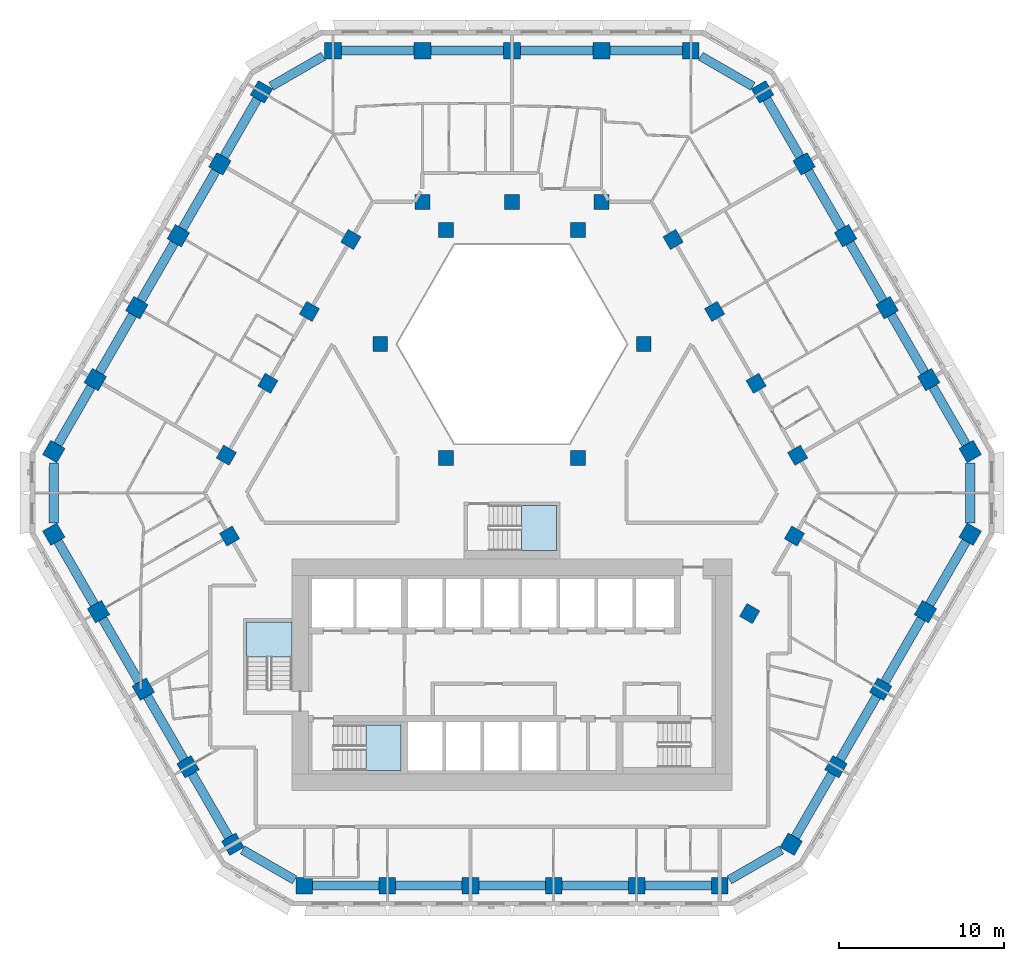
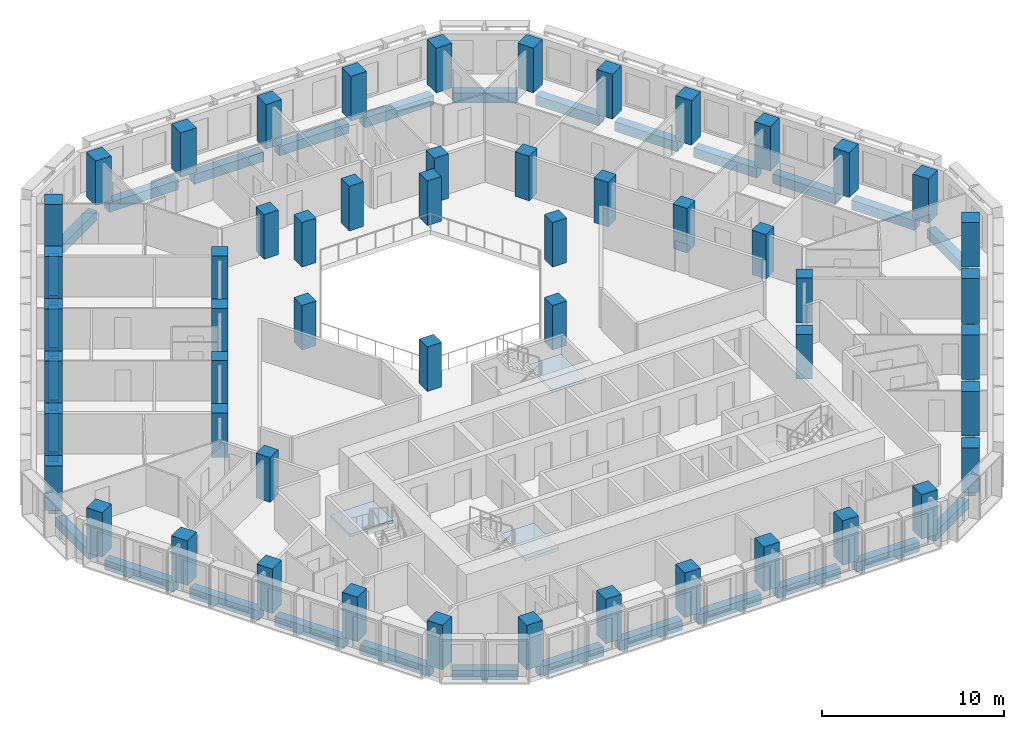
# One storey, part 1 of 18: 53 columns, 33 beams, 3 slabs, 3 elements without a shape of their own.
"""IFC4 building model written with IfcOpenShell, lengths in metres."""

import ifcopenshell
import ifcopenshell.guid

model = None  # the IFC model being written
_history = None  # IfcOwnerHistory: only IFC2X3 demands one
_inside = {}  # id of a spatial element -> (the spatial element, [elements in it])
_under = {}  # id of a project, library or spatial element -> (it, [spatial elements below it])
_declared = {}  # id of a project -> (the project, [libraries it declares])
_typed = {}  # id of a type object -> (the type object, [elements of that type])
_made_of = {}  # id of a material, layer set ... -> (it, [elements and type objects made of it])


def new_model(schema):
    """Start an empty IFC model of exactly this schema.

    Asked for "IFC4X3", IfcOpenShell would pick the latest addendum, in which some entities
    have other attributes; the version numbers below select the first issue.
    IFC2X3 requires an IfcOwnerHistory on every rooted entity: one is made here for all.
    """
    global model, _history
    if schema == "IFC4X3":
        model = ifcopenshell.file(schema_version=(4, 3, 0, 0))
    else:
        model = ifcopenshell.file(schema=schema)
    _inside.clear()
    _under.clear()
    _declared.clear()
    _typed.clear()
    _made_of.clear()
    _history = None
    if model.schema == "IFC2X3":
        org = make("IfcOrganization", Name="unknown")
        user = make(
            "IfcPersonAndOrganization",
            ThePerson=make("IfcPerson", FamilyName="unknown"),
            TheOrganization=org,
        )
        app = make(
            "IfcApplication",
            ApplicationDeveloper=org,
            Version="unknown",
            ApplicationFullName="unknown",
            ApplicationIdentifier="unknown",
        )
        _history = make(
            "IfcOwnerHistory",
            OwningUser=user,
            OwningApplication=app,
            ChangeAction="ADDED",
            CreationDate=0,
        )
    return model


def make(cls, **values):
    """One entity of the class cls with the attributes given. An attribute that is None is left unset."""
    return model.create_entity(
        cls, **{name: value for name, value in values.items() if value is not None}
    )


def rooted(cls, **values):
    """An entity with a GlobalId (a new one), such as an element, a storey or a relation."""
    return make(cls, GlobalId=ifcopenshell.guid.new(), OwnerHistory=_history, **values)


def si_unit(unit_type, name, prefix=None):
    """IfcSIUnit, for example si_unit("LENGTHUNIT", "METRE", prefix="MILLI")."""
    return make("IfcSIUnit", UnitType=unit_type, Prefix=prefix, Name=name)


def assignment(units):
    """IfcUnitAssignment: the units of a project."""
    return None if units is None else make("IfcUnitAssignment", Units=units)


def point(xyz):
    """IfcCartesianPoint."""
    return None if xyz is None else make("IfcCartesianPoint", Coordinates=xyz)


def direction(xyz):
    """IfcDirection."""
    return None if xyz is None else make("IfcDirection", DirectionRatios=xyz)


def frame(location, z_axis=None, x_axis=None):
    """IfcAxis2Placement3D, a coordinate frame: its origin and axes. An axis left out is left unset."""
    return make(
        "IfcAxis2Placement3D",
        Location=point(location),
        Axis=direction(z_axis),
        RefDirection=direction(x_axis),
    )


def frame_2d(location, x_axis=None):
    """IfcAxis2Placement2D, a coordinate frame in the plane: its origin and x axis."""
    return make(
        "IfcAxis2Placement2D", Location=point(location), RefDirection=direction(x_axis)
    )


def origin():
    """The frame at (0, 0, 0) with its axes left unset."""
    return frame((0.0, 0.0, 0.0))


def origin_2d():
    """The frame at (0, 0) in the plane with its x axis left unset."""
    return frame_2d((0.0, 0.0))


def place(relative_to, where):
    """IfcLocalPlacement: puts the frame where relative to a parent placement (None: the world)."""
    return make(
        "IfcLocalPlacement", PlacementRelTo=relative_to, RelativePlacement=where
    )


def context(
    kind, dimensions, precision=None, world=None, true_north=None, identifier=None
):
    """IfcGeometricRepresentationContext, for example the 3D "Model" context."""
    return make(
        "IfcGeometricRepresentationContext",
        ContextIdentifier=identifier,
        ContextType=kind,
        CoordinateSpaceDimension=dimensions,
        Precision=precision,
        WorldCoordinateSystem=world,
        TrueNorth=true_north,
    )


def subcontext(parent, identifier, kind, view, scale=None):
    """IfcGeometricRepresentationSubContext, for example "Body" below "Model"."""
    return make(
        "IfcGeometricRepresentationSubContext",
        ContextIdentifier=identifier,
        ContextType=kind,
        ParentContext=parent,
        TargetScale=scale,
        TargetView=view,
    )


def project(units=None, contexts=None):
    """IfcProject with its units and contexts."""
    return rooted(
        "IfcProject",
        Name="project",
        RepresentationContexts=contexts,
        UnitsInContext=assignment(units),
    )


def spatial(cls, under=None, at=None, **own):
    """A site, building, storey or space (cls), placed at a placement, below another one or the project."""
    s = rooted(cls, ObjectPlacement=at, **own)
    if under is not None:
        _under.setdefault(under.id(), (under, []))[1].append(s)
    return s


def polyline(points):
    """IfcPolyline through the points."""
    return make("IfcPolyline", Points=[point(p) for p in points])


def profile(cls, at=None, kind="AREA", **sizes):
    """A parametric profile (cls). Its sizes go by their IFC names, for example OverallWidth=200.0."""
    return make(cls, ProfileType=kind, Position=at, **sizes)


def rectangle(**sizes):
    """IfcRectangleProfileDef."""
    return profile("IfcRectangleProfileDef", **sizes)


def outline(outer, holes=None, kind="AREA"):
    """IfcArbitraryClosedProfileDef: a profile drawn as a closed curve; with holes, ...WithVoids."""
    if holes is None:
        return make("IfcArbitraryClosedProfileDef", ProfileType=kind, OuterCurve=outer)
    return make(
        "IfcArbitraryProfileDefWithVoids",
        ProfileType=kind,
        OuterCurve=outer,
        InnerCurves=holes,
    )


def extrude(swept, where, along, depth):
    """IfcExtrudedAreaSolid: the profile swept, set in the frame where, extruded along a direction by depth."""
    return make(
        "IfcExtrudedAreaSolid",
        SweptArea=swept,
        Position=where,
        ExtrudedDirection=direction(along),
        Depth=depth,
    )


def shape(context_of_items, identifier, shape_type, items):
    """IfcShapeRepresentation: the items that make up one representation, for example the "Body"."""
    return make(
        "IfcShapeRepresentation",
        ContextOfItems=context_of_items,
        RepresentationIdentifier=identifier,
        RepresentationType=shape_type,
        Items=items,
    )


def material(Name=None, Category=None):
    """IfcMaterial."""
    return make("IfcMaterial", Name=Name, Category=Category)


def layer(
    of_material, thickness, ventilated=None, Name=None, Category=None, Priority=None
):
    """IfcMaterialLayer: one layer of a wall or slab, of a material (None: an air gap)."""
    return make(
        "IfcMaterialLayer",
        Material=of_material,
        LayerThickness=thickness,
        IsVentilated=ventilated,
        Name=Name,
        Category=Category,
        Priority=Priority,
    )


def layer_set(layers, Name=None):
    """IfcMaterialLayerSet."""
    return make("IfcMaterialLayerSet", MaterialLayers=layers, LayerSetName=Name)


def material_profile(
    of_material, cross_section, Name=None, Category=None, Priority=None
):
    """IfcMaterialProfile: a cross section and its material."""
    return make(
        "IfcMaterialProfile",
        Name=Name,
        Material=of_material,
        Profile=cross_section,
        Priority=Priority,
        Category=Category,
    )


def profile_set(profiles, Name=None, composite=None):
    """IfcMaterialProfileSet."""
    return make(
        "IfcMaterialProfileSet",
        Name=Name,
        MaterialProfiles=profiles,
        CompositeProfile=composite,
    )


def made_of(thing, what):
    """Note that an element or type object is made of a material, layer set ...; save() writes the relation."""
    if what is not None:
        _made_of.setdefault(what.id(), (what, []))[1].append(thing)
    return thing


def type_object(cls, material=None, **own):
    """A type object (cls), such as IfcWallType, which elements share."""
    return made_of(rooted(cls, **own), material)


def element(
    cls,
    number,
    at=None,
    inside=None,
    cuts=None,
    type_object=None,
    material=None,
    context=None,
    identifier="Body",
    shape_type=None,
    held_by="IfcProductDefinitionShape",
    body=None,
    shapes=None,
    **own,
):
    """One element of the class cls, such as IfcWall. Its Tag is "e" and its number.

    at: its placement. inside: the storey or other place that contains it. cuts: it is an
    opening in that element (IfcRelVoidsElement). A single representation is given by context,
    identifier, shape_type and body (its items); several are given by shapes. held_by: the class
    of the entity that holds the representations. save() writes the other relations.
    """
    e = rooted(cls, Tag="e%d" % number, ObjectPlacement=at, **own)
    if body is not None:
        shapes = [shape(context, identifier, shape_type, body)]
    if shapes is not None:
        e.Representation = make(held_by, Representations=shapes)
    if inside is not None:
        _inside.setdefault(inside.id(), (inside, []))[1].append(e)
    if cuts is not None:
        rooted(
            "IfcRelVoidsElement", RelatingBuildingElement=cuts, RelatedOpeningElement=e
        )
    if type_object is not None:
        _typed.setdefault(type_object.id(), (type_object, []))[1].append(e)
    return made_of(e, material)


def aggregate(whole, parts):
    """IfcRelAggregates: a whole, such as a stair, and the parts it consists of."""
    return rooted("IfcRelAggregates", RelatingObject=whole, RelatedObjects=parts)


def save(model, path):
    """Write the relations noted so far, then the file.

    IfcRelAggregates (storeys below a building ...), IfcRelContainedInSpatialStructure (elements
    in a storey), IfcRelDefinesByType, IfcRelAssociatesMaterial and IfcRelDeclares: one each for
    every whole, place, type object, material and project.
    """
    for whole, parts in _under.values():
        aggregate(whole, parts)
    for where, things in _inside.values():
        rooted(
            "IfcRelContainedInSpatialStructure",
            RelatedElements=things,
            RelatingStructure=where,
        )
    for kind, things in _typed.values():
        rooted("IfcRelDefinesByType", RelatedObjects=things, RelatingType=kind)
    for what, things in _made_of.values():
        rooted("IfcRelAssociatesMaterial", RelatedObjects=things, RelatingMaterial=what)
    for by, libraries in _declared.values():
        rooted("IfcRelDeclares", RelatingContext=by, RelatedDefinitions=libraries)
    model.write(path)


model = new_model("IFC4")

# Units and contexts
model_context = context("Model", 3, precision=1e-05, world=origin(), true_north=direction((0.0, 1.0)))
body_context = subcontext(model_context, "Body", "Model", "MODEL_VIEW")
ifc_project = project(units=[si_unit("LENGTHUNIT", "METRE"), si_unit("AREAUNIT", "SQUARE_METRE"), si_unit("VOLUMEUNIT", "CUBIC_METRE"), si_unit("PLANEANGLEUNIT", "RADIAN"), si_unit("MASSUNIT", "GRAM", prefix="KILO")], contexts=[model_context])

# Site, building, storey
site_placement = place(None, origin())
site = spatial("IfcSite", under=ifc_project, at=site_placement, CompositionType="ELEMENT")
building_placement = place(site_placement, origin())
building = spatial("IfcBuilding", under=site, at=building_placement, Name="Beryl Residences", CompositionType="ELEMENT")
storey_placement = place(building_placement, frame((0.0, 0.0, 81.0)))
storey = spatial("IfcBuildingStorey", under=building, at=storey_placement, Name="L24", CompositionType="ELEMENT", Elevation=81.0)

# Columns
ifc_material_1 = material(Name="Concrete C70/85", Category="concrete")
ifc_material_profile_1 = material_profile(ifc_material_1, rectangle(XDim=1.0, YDim=1.0, at=origin_2d()))
ifc_profile_set_1 = profile_set([ifc_material_profile_1], Name="Concrete C70/85")
column_type_1 = type_object("IfcColumnType", Name="C2 tube column 1000 x 1000 C70/85", PredefinedType="COLUMN", material=ifc_profile_set_1)
for number, where, z_axis, x_axis, name in (
    (1, (10.824951171875, 25.75, 0.0), (0.0, 0.0, 1.0), (-1.0, 0.0, 0.0), "C2-N1 L24"),
    (2, (5.412109375, 25.75, 0.0), (0.0, 0.0, 1.0), (-1.0, 0.0, 0.0), "C2-N2 L24"),
    (3, (-0.0009765625, 25.75, 0.0), (0.0, 0.0, 1.0), (-1.0, 0.0, 0.0), "C2-N3 L24"),
    (4, (-5.4140625, 25.75, 0.0), (0.0, 0.0, 1.0), (-1.0, 0.0, 0.0), "C2-N4 L24"),
    (5, (-10.826904296875, 25.75, 0.0), (0.0, 0.0, 1.0), (-1.0, 0.0, 0.0), "C2-N5 L24"),
    (6, (-15.155029296875, 23.2509765625, 0.0), (0.0, 0.0, 1.0), (-0.5, -0.866025403784, 0.0), "C2-NW1 L24"),
    (7, (-17.6669921875, 18.89990234375, 0.0), (0.0, 0.0, 1.0), (-0.5, -0.866025403784, 0.0), "C2-NW2 L24"),
    (8, (-20.177978515625, 14.550048828125, 0.0), (0.0, 0.0, 1.0), (-0.5, -0.866025403784, 0.0), "C2-NW3 L24"),
    (9, (-22.68994140625, 10.199951171875, 0.0), (0.0, 0.0, 1.0), (-0.5, -0.866025403784, 0.0), "C2-NW4 L24"),
    (10, (-25.201904296875, 5.85009765625, 0.0), (0.0, 0.0, 1.0), (-0.5, -0.866025403784, 0.0), "C2-NW5 L24"),
    (11, (-27.712890625, 1.5, 0.0), (0.0, 0.0, 1.0), (-0.5, -0.866025403784, 0.0), "C2-NW6 L24"),
    (12, (-27.714111328125, -3.4990234375, 0.0), (0.0, 0.0, 1.0), (0.5, -0.866025403784, 0.0), "C2-SW1 L24"),
    (13, (-25.007080078125, -8.18701171875, 0.0), (0.0, 0.0, 1.0), (0.5, -0.866025403784, 0.0), "C2-SW2 L24"),
    (14, (-22.300048828125, -12.875, 0.0), (0.0, 0.0, 1.0), (0.5, -0.866025403784, 0.0), "C2-SW3 L24"),
    (15, (-19.593994140625, -17.56298828125, 0.0), (0.0, 0.0, 1.0), (0.5, -0.866025403784, 0.0), "C2-SW4 L24"),
    (16, (-16.886962890625, -22.2509765625, 0.0), (0.0, 0.0, 1.0), (0.5, -0.866025403784, 0.0), "C2-SW5 L24"),
    (17, (-12.556884765625, -24.75, 0.0), (0.0, 0.0, 1.0), (1.0, 0.0, 0.0), "C2-S1 L24"),
    (18, (-7.533935546875, -24.75, 0.0), (0.0, 0.0, 1.0), (1.0, 0.0, 0.0), "C2-S2 L24"),
    (19, (-2.510986328125, -24.75, 0.0), (0.0, 0.0, 1.0), (1.0, 0.0, 0.0), "C2-S3 L24"),
    (20, (2.511962890625, -24.75, 0.0), (0.0, 0.0, 1.0), (1.0, 0.0, 0.0), "C2-S4 L24"),
    (21, (7.534912109375, -24.75, 0.0), (0.0, 0.0, 1.0), (1.0, 0.0, 0.0), "C2-S5 L24"),
    (22, (12.55810546875, -24.75, 0.0), (0.0, 0.0, 1.0), (1.0, 0.0, 0.0), "C2-S6 L24"),
    (23, (16.886962890625, -22.2509765625, 0.0), (0.0, 0.0, 1.0), (0.5, 0.866025403784, 0.0), "C2-SE1 L24"),
    (24, (19.593994140625, -17.56298828125, 0.0), (0.0, 0.0, 1.0), (0.5, 0.866025403784, 0.0), "C2-SE2 L24"),
    (25, (22.300048828125, -12.875, 0.0), (0.0, 0.0, 1.0), (0.5, 0.866025403784, 0.0), "C2-SE3 L24"),
    (26, (25.007080078125, -8.18701171875, 0.0), (0.0, 0.0, 1.0), (0.5, 0.866025403784, 0.0), "C2-SE4 L24"),
    (27, (27.714111328125, -3.4990234375, 0.0), (0.0, 0.0, 1.0), (0.5, 0.866025403784, 0.0), "C2-SE5 L24"),
    (28, (27.714111328125, 1.4990234375, 0.0), (0.0, 0.0, 1.0), (-0.5, 0.866025403784, 0.0), "C2-NE1 L24"),
    (29, (25.201904296875, 5.85009765625, 0.0), (0.0, 0.0, 1.0), (-0.5, 0.866025403784, 0.0), "C2-NE2 L24"),
    (30, (22.68994140625, 10.199951171875, 0.0), (0.0, 0.0, 1.0), (-0.5, 0.866025403784, 0.0), "C2-NE3 L24"),
    (31, (20.178955078125, 14.550048828125, 0.0), (0.0, 0.0, 1.0), (-0.5, 0.866025403784, 0.0), "C2-NE4 L24"),
    (32, (17.6669921875, 18.89990234375, 0.0), (0.0, 0.0, 1.0), (-0.5, 0.866025403784, 0.0), "C2-NE5 L24"),
    (33, (15.156005859375, 23.25, 0.0), (0.0, 0.0, 1.0), (-0.5, 0.866025403784, 0.0), "C2-NE6 L24"),
):
    element("IfcColumn", number, at=place(storey_placement, frame(where, z_axis=z_axis, x_axis=x_axis)), inside=storey, type_object=column_type_1, Name=name, PredefinedType="COLUMN", context=body_context, shape_type="SweptSolid", body=[
        extrude(rectangle(XDim=1.0, YDim=1.0, at=origin_2d()), origin(), (0.0, 0.0, 1.0), 3.0),
    ])
ifc_material_2 = material(Name="Concrete C70/85", Category="concrete")
ifc_material_profile_2 = material_profile(ifc_material_2, rectangle(XDim=0.89990234375, YDim=0.89990234375, at=origin_2d()))
ifc_profile_set_2 = profile_set([ifc_material_profile_2], Name="Concrete C70/85")
column_type_2 = type_object("IfcColumnType", Name="IC2 interior column 900 x 900 C70/85", PredefinedType="COLUMN", material=ifc_profile_set_2)
for number, where, z_axis, x_axis, name in (
    (34, (-17.0830078125, -3.612060546875, 0.0), (0.0, 0.0, 1.0), (0.5, -0.866025403784, 0.0), "IC2-M01 L24"),
    (35, (14.3759765625, -8.300048828125, 0.0), (0.0, 0.0, 1.0), (0.5, 0.866025403784, 0.0), "IC2-M02 L24"),
    (36, (17.0830078125, -3.612060546875, 0.0), (0.0, 0.0, 1.0), (0.5, 0.866025403784, 0.0), "IC2-M03 L24"),
    (37, (17.278076171875, 1.27392578125, 0.0), (0.0, 0.0, 1.0), (-0.5, 0.866025403784, 0.0), "IC2-M04 L24"),
    (38, (3.98388671875, 1.10009765625, 0.0), (0.0, 0.0, 1.0), (1.0, 0.0, 0.0), "IC2-A05 L24"),
    (39, (14.76611328125, 5.625, 0.0), (0.0, 0.0, 1.0), (-0.5, 0.866025403784, 0.0), "IC2-M06 L24"),
    (40, (12.2548828125, 9.97509765625, 0.0), (0.0, 0.0, 1.0), (-0.5, 0.866025403784, 0.0), "IC2-M07 L24"),
    (41, (7.967041015625, 8.0, 0.0), (0.0, 0.0, 1.0), (1.0, 0.0, 0.0), "IC2-A08 L24"),
    (42, (9.742919921875, 14.324951171875, 0.0), (0.0, 0.0, 1.0), (-0.5, 0.866025403784, 0.0), "IC2-M09 L24"),
    (43, (5.412109375, 16.60009765625, 0.0), (0.0, 0.0, 1.0), (-1.0, 0.0, 0.0), "IC2-M10 L24"),
    (44, (3.98388671875, 14.89990234375, 0.0), (0.0, 0.0, 1.0), (1.0, 0.0, 0.0), "IC2-A11 L24"),
    (45, (-0.0009765625, 16.60009765625, 0.0), (0.0, 0.0, 1.0), (-1.0, 0.0, 0.0), "IC2-M12 L24"),
    (46, (-3.98388671875, 14.89990234375, 0.0), (0.0, 0.0, 1.0), (1.0, 0.0, 0.0), "IC2-A13 L24"),
    (47, (-5.4140625, 16.60009765625, 0.0), (0.0, 0.0, 1.0), (-1.0, 0.0, 0.0), "IC2-M14 L24"),
    (48, (-9.742919921875, 14.324951171875, 0.0), (0.0, 0.0, 1.0), (-0.5, -0.866025403784, 0.0), "IC2-M15 L24"),
    (49, (-7.967041015625, 8.0, 0.0), (0.0, 0.0, 1.0), (1.0, 0.0, 0.0), "IC2-A16 L24"),
    (50, (-12.25390625, 9.97509765625, 0.0), (0.0, 0.0, 1.0), (-0.5, -0.866025403784, 0.0), "IC2-M17 L24"),
    (51, (-14.76611328125, 5.625, 0.0), (0.0, 0.0, 1.0), (-0.5, -0.866025403784, 0.0), "IC2-M18 L24"),
    (52, (-3.98388671875, 1.10009765625, 0.0), (0.0, 0.0, 1.0), (1.0, 0.0, 0.0), "IC2-A19 L24"),
    (53, (-17.277099609375, 1.27490234375, 0.0), (0.0, 0.0, 1.0), (-0.5, -0.866025403784, 0.0), "IC2-M20 L24"),
):
    element("IfcColumn", number, at=place(storey_placement, frame(where, z_axis=z_axis, x_axis=x_axis)), inside=storey, type_object=column_type_2, Name=name, PredefinedType="COLUMN", context=body_context, shape_type="SweptSolid", body=[
        extrude(rectangle(XDim=0.89990234375, YDim=0.89990234375, at=origin_2d()), origin(), (0.0, 0.0, 1.0), 3.0),
    ])

# Beams
ifc_material_3 = material(Name="Concrete C70/85", Category="concrete")
ifc_material_profile_3 = material_profile(ifc_material_3, rectangle(XDim=0.550048828125, YDim=0.64990234375, at=origin_2d()))
ifc_profile_set_3 = profile_set([ifc_material_profile_3], Name="Concrete C70/85")
beam_type = type_object("IfcBeamType", Name="SB2 spandrel beam 550 x 650 C70/85", PredefinedType="SPANDREL", material=ifc_profile_set_3)
beam_1_placement = place(storey_placement, frame((10.324951171875, 25.75, -0.625), z_axis=(-1.0, 0.0, 0.0), x_axis=(0.0, -1.0, 0.0)))
element("IfcBeam", 54, at=beam_1_placement, inside=storey, type_object=beam_type, Name="SB2 L24 N-0", PredefinedType="SPANDREL", context=body_context, shape_type="SweptSolid", body=[
    extrude(rectangle(XDim=0.550048828125, YDim=0.64990234375, at=origin_2d()), origin(), (0.0, 0.0, 1.0), 4.412841796875),
])
for number, where, z_axis, x_axis, name in (
    (55, (4.912109375, 25.75, -0.625), (-1.0, 0.0, 0.0), (0.0, -1.0, 0.0), "SB2 L24 N-1"),
    (56, (-0.5009765625, 25.75, -0.625), (-1.0, 0.0, 0.0), (0.0, -1.0, 0.0), "SB2 L24 N-2"),
):
    element("IfcBeam", number, at=place(storey_placement, frame(where, z_axis=z_axis, x_axis=x_axis)), inside=storey, type_object=beam_type, Name=name, PredefinedType="SPANDREL", context=body_context, shape_type="SweptSolid", body=[
        extrude(rectangle(XDim=0.550048828125, YDim=0.64990234375, at=origin_2d()), origin(), (0.0, 0.0, 1.0), 4.4130859375),
    ])
beam_2_placement = place(storey_placement, frame((-5.9140625, 25.75, -0.625), z_axis=(-1.0, 0.0, 0.0), x_axis=(0.0, -1.0, 0.0)))
element("IfcBeam", 57, at=beam_2_placement, inside=storey, type_object=beam_type, Name="SB2 L24 N-3", PredefinedType="SPANDREL", context=body_context, shape_type="SweptSolid", body=[
    extrude(rectangle(XDim=0.550048828125, YDim=0.64990234375, at=origin_2d()), origin(), (0.0, 0.0, 1.0), 4.412841796875),
])
beam_3_placement = place(storey_placement, frame((-11.41796875, 25.408935546875, -0.625), z_axis=(-0.865959503272, -0.500114125668, 0.0), x_axis=(0.500114125668, -0.865959503272, 0.0)))
element("IfcBeam", 58, at=beam_3_placement, inside=storey, type_object=beam_type, Name="SB2 L24 N-4", PredefinedType="SPANDREL", context=body_context, shape_type="SweptSolid", body=[
    extrude(rectangle(XDim=0.550048828125, YDim=0.64990234375, at=origin_2d()), origin(), (0.0, 0.0, 1.0), 3.633056640625),
])
beam_4_placement = place(storey_placement, frame((-15.405029296875, 22.818115234375, -0.625), z_axis=(-0.49996928203, -0.866043138087, 0.0), x_axis=(0.866043138087, -0.49996928203, 0.0)))
element("IfcBeam", 59, at=beam_4_placement, inside=storey, type_object=beam_type, Name="SB2 L24 NW-0", PredefinedType="SPANDREL", context=body_context, shape_type="SweptSolid", body=[
    extrude(rectangle(XDim=0.550048828125, YDim=0.64990234375, at=origin_2d()), origin(), (0.0, 0.0, 1.0), 4.024169921875),
])
beam_5_placement = place(storey_placement, frame((-17.9169921875, 18.467041015625, -0.625), z_axis=(-0.499892318183, -0.866087564985, 0.0), x_axis=(0.866087564985, -0.499892318183, 0.0)))
element("IfcBeam", 60, at=beam_5_placement, inside=storey, type_object=beam_type, Name="SB2 L24 NW-1", PredefinedType="SPANDREL", context=body_context, shape_type="SweptSolid", body=[
    extrude(rectangle(XDim=0.550048828125, YDim=0.64990234375, at=origin_2d()), origin(), (0.0, 0.0, 1.0), 4.02294921875),
])
beam_6_placement = place(storey_placement, frame((-20.427978515625, 14.116943359375, -0.625), z_axis=(-0.500100656611, -0.865967281863, 0.0), x_axis=(0.865967281863, -0.500100656611, 0.0)))
element("IfcBeam", 61, at=beam_6_placement, inside=storey, type_object=beam_type, Name="SB2 L24 NW-2", PredefinedType="SPANDREL", context=body_context, shape_type="SweptSolid", body=[
    extrude(rectangle(XDim=0.550048828125, YDim=0.64990234375, at=origin_2d()), origin(), (0.0, 0.0, 1.0), 4.023193359375),
])
beam_7_placement = place(storey_placement, frame((-22.93994140625, 9.76708984375, -0.625), z_axis=(-0.500074377092, -0.865982457891, 0.0), x_axis=(0.865982457891, -0.500074377092, 0.0)))
element("IfcBeam", 62, at=beam_7_placement, inside=storey, type_object=beam_type, Name="SB2 L24 NW-3", PredefinedType="SPANDREL", context=body_context, shape_type="SweptSolid", body=[
    extrude(rectangle(XDim=0.550048828125, YDim=0.64990234375, at=origin_2d()), origin(), (0.0, 0.0, 1.0), 4.0234375),
])
beam_8_placement = place(storey_placement, frame((-25.451904296875, 5.4169921875, -0.625), z_axis=(-0.499918594511, -0.866072398164, 0.0), x_axis=(0.866072398164, -0.499918594511, 0.0)))
element("IfcBeam", 63, at=beam_8_placement, inside=storey, type_object=beam_type, Name="SB2 L24 NW-4", PredefinedType="SPANDREL", context=body_context, shape_type="SweptSolid", body=[
    extrude(rectangle(XDim=0.550048828125, YDim=0.64990234375, at=origin_2d()), origin(), (0.0, 0.0, 1.0), 4.022705078125),
])
beam_9_placement = place(storey_placement, frame((-27.712890625, 0.81689453125, -0.625), z_axis=(-0.000336021486, -0.999999943545, 0.0), x_axis=(0.999999943545, -0.000336021486, 0.0)))
element("IfcBeam", 64, at=beam_9_placement, inside=storey, type_object=beam_type, Name="SB2 L24 NW-5", PredefinedType="SPANDREL", context=body_context, shape_type="SweptSolid", body=[
    extrude(rectangle(XDim=0.550048828125, YDim=0.64990234375, at=origin_2d()), origin(), (0.0, 0.0, 1.0), 3.6328125),
])
beam_10_placement = place(storey_placement, frame((-27.464111328125, -3.931884765625, -0.625), z_axis=(0.50006561292, -0.865987518834, 0.0), x_axis=(0.865987518834, 0.50006561292, 0.0)))
element("IfcBeam", 65, at=beam_10_placement, inside=storey, type_object=beam_type, Name="SB2 L24 SW-0", PredefinedType="SPANDREL", context=body_context, shape_type="SweptSolid", body=[
    extrude(rectangle(XDim=0.550048828125, YDim=0.64990234375, at=origin_2d()), origin(), (0.0, 0.0, 1.0), 4.41357421875),
])
beam_11_placement = place(storey_placement, frame((-24.757080078125, -8.6201171875, -0.625), z_axis=(0.500089568931, -0.865973684962, 0.0), x_axis=(0.865973684962, 0.500089568931, 0.0)))
element("IfcBeam", 66, at=beam_11_placement, inside=storey, type_object=beam_type, Name="SB2 L24 SW-1", PredefinedType="SPANDREL", context=body_context, shape_type="SweptSolid", body=[
    extrude(rectangle(XDim=0.550048828125, YDim=0.64990234375, at=origin_2d()), origin(), (0.0, 0.0, 1.0), 4.413330078125),
])
beam_12_placement = place(storey_placement, frame((-22.050048828125, -13.30810546875, -0.625), z_axis=(0.49992360228, -0.866069507536, 0.0), x_axis=(0.866069507536, 0.49992360228, 0.0)))
element("IfcBeam", 67, at=beam_12_placement, inside=storey, type_object=beam_type, Name="SB2 L24 SW-2", PredefinedType="SPANDREL", context=body_context, shape_type="SweptSolid", body=[
    extrude(rectangle(XDim=0.550048828125, YDim=0.64990234375, at=origin_2d()), origin(), (0.0, 0.0, 1.0), 4.412841796875),
])
beam_13_placement = place(storey_placement, frame((-19.343994140625, -17.99609375, -0.625), z_axis=(0.50006561292, -0.865987518834, 0.0), x_axis=(0.865987518834, 0.50006561292, 0.0)))
element("IfcBeam", 68, at=beam_13_placement, inside=storey, type_object=beam_type, Name="SB2 L24 SW-3", PredefinedType="SPANDREL", context=body_context, shape_type="SweptSolid", body=[
    extrude(rectangle(XDim=0.550048828125, YDim=0.64990234375, at=origin_2d()), origin(), (0.0, 0.0, 1.0), 4.41357421875),
])
beam_14_placement = place(storey_placement, frame((-16.2958984375, -22.592041015625, -0.625), z_axis=(0.866093873939, -0.499881387456, 0.0), x_axis=(0.499881387456, 0.866093873939, 0.0)))
element("IfcBeam", 69, at=beam_14_placement, inside=storey, type_object=beam_type, Name="SB2 L24 SW-4", PredefinedType="SPANDREL", context=body_context, shape_type="SweptSolid", body=[
    extrude(rectangle(XDim=0.550048828125, YDim=0.64990234375, at=origin_2d()), origin(), (0.0, 0.0, 1.0), 3.634765625),
])
for number, where, z_axis, x_axis, name in (
    (70, (-12.056884765625, -24.75, -0.625), (1.0, 0.0, 0.0), (0.0, 1.0, 0.0), "SB2 L24 S-0"),
    (71, (-7.033935546875, -24.75, -0.625), (1.0, 0.0, 0.0), (0.0, 1.0, 0.0), "SB2 L24 S-1"),
    (72, (-2.010986328125, -24.75, -0.625), (1.0, 0.0, 0.0), (0.0, 1.0, 0.0), "SB2 L24 S-2"),
    (73, (3.011962890625, -24.75, -0.625), (1.0, 0.0, 0.0), (0.0, 1.0, 0.0), "SB2 L24 S-3"),
):
    element("IfcBeam", number, at=place(storey_placement, frame(where, z_axis=z_axis, x_axis=x_axis)), inside=storey, type_object=beam_type, Name=name, PredefinedType="SPANDREL", context=body_context, shape_type="SweptSolid", body=[
        extrude(rectangle(XDim=0.550048828125, YDim=0.64990234375, at=origin_2d()), origin(), (0.0, 0.0, 1.0), 4.02294921875),
    ])
beam_15_placement = place(storey_placement, frame((8.034912109375, -24.75, -0.625), z_axis=(1.0, 0.0, 0.0), x_axis=(0.0, 1.0, 0.0)))
element("IfcBeam", 74, at=beam_15_placement, inside=storey, type_object=beam_type, Name="SB2 L24 S-4", PredefinedType="SPANDREL", context=body_context, shape_type="SweptSolid", body=[
    extrude(rectangle(XDim=0.550048828125, YDim=0.64990234375, at=origin_2d()), origin(), (0.0, 0.0, 1.0), 4.023193359375),
])
beam_16_placement = place(storey_placement, frame((13.14892578125, -24.408935546875, -0.625), z_axis=(0.866026712061, 0.499997733992, 0.0), x_axis=(-0.499997733992, 0.866026712061, 0.0)))
element("IfcBeam", 75, at=beam_16_placement, inside=storey, type_object=beam_type, Name="SB2 L24 S-5", PredefinedType="SPANDREL", context=body_context, shape_type="SweptSolid", body=[
    extrude(rectangle(XDim=0.550048828125, YDim=0.64990234375, at=origin_2d()), origin(), (0.0, 0.0, 1.0), 3.6337890625),
])
beam_17_placement = place(storey_placement, frame((17.136962890625, -21.818115234375, -0.625), z_axis=(0.50006561292, 0.865987518834, 0.0), x_axis=(-0.865987518834, 0.50006561292, 0.0)))
element("IfcBeam", 76, at=beam_17_placement, inside=storey, type_object=beam_type, Name="SB2 L24 SE-0", PredefinedType="SPANDREL", context=body_context, shape_type="SweptSolid", body=[
    extrude(rectangle(XDim=0.550048828125, YDim=0.64990234375, at=origin_2d()), origin(), (0.0, 0.0, 1.0), 4.41357421875),
])
beam_18_placement = place(storey_placement, frame((19.843994140625, -17.1298828125, -0.625), z_axis=(0.49992360228, 0.866069507536, 0.0), x_axis=(-0.866069507536, 0.49992360228, 0.0)))
element("IfcBeam", 77, at=beam_18_placement, inside=storey, type_object=beam_type, Name="SB2 L24 SE-1", PredefinedType="SPANDREL", context=body_context, shape_type="SweptSolid", body=[
    extrude(rectangle(XDim=0.550048828125, YDim=0.64990234375, at=origin_2d()), origin(), (0.0, 0.0, 1.0), 4.412841796875),
])
beam_19_placement = place(storey_placement, frame((22.550048828125, -12.44189453125, -0.625), z_axis=(0.500089568931, 0.865973684962, 0.0), x_axis=(-0.865973684962, 0.500089568931, 0.0)))
element("IfcBeam", 78, at=beam_19_placement, inside=storey, type_object=beam_type, Name="SB2 L24 SE-2", PredefinedType="SPANDREL", context=body_context, shape_type="SweptSolid", body=[
    extrude(rectangle(XDim=0.550048828125, YDim=0.64990234375, at=origin_2d()), origin(), (0.0, 0.0, 1.0), 4.413330078125),
])
beam_20_placement = place(storey_placement, frame((25.257080078125, -7.75390625, -0.625), z_axis=(0.50006561292, 0.865987518834, 0.0), x_axis=(-0.865987518834, 0.50006561292, 0.0)))
element("IfcBeam", 79, at=beam_20_placement, inside=storey, type_object=beam_type, Name="SB2 L24 SE-3", PredefinedType="SPANDREL", context=body_context, shape_type="SweptSolid", body=[
    extrude(rectangle(XDim=0.550048828125, YDim=0.64990234375, at=origin_2d()), origin(), (0.0, 0.0, 1.0), 4.41357421875),
])
beam_21_placement = place(storey_placement, frame((27.714111328125, -2.81591796875, -0.625), z_axis=(0.0, 1.0, 0.0), x_axis=(-1.0, 0.0, 0.0)))
element("IfcBeam", 80, at=beam_21_placement, inside=storey, type_object=beam_type, Name="SB2 L24 SE-4", PredefinedType="SPANDREL", context=body_context, shape_type="SweptSolid", body=[
    extrude(rectangle(XDim=0.550048828125, YDim=0.64990234375, at=origin_2d()), origin(), (0.0, 0.0, 1.0), 3.6318359375),
])
beam_22_placement = place(storey_placement, frame((27.464111328125, 1.931884765625, -0.625), z_axis=(-0.500014783214, 0.866016868524, 0.0), x_axis=(-0.866016868524, -0.500014783214, 0.0)))
element("IfcBeam", 81, at=beam_22_placement, inside=storey, type_object=beam_type, Name="SB2 L24 NE-0", PredefinedType="SPANDREL", context=body_context, shape_type="SweptSolid", body=[
    extrude(rectangle(XDim=0.550048828125, YDim=0.64990234375, at=origin_2d()), origin(), (0.0, 0.0, 1.0), 4.0244140625),
])
beam_23_placement = place(storey_placement, frame((24.951904296875, 6.282958984375, -0.625), z_axis=(-0.500074377092, 0.865982457891, 0.0), x_axis=(-0.865982457891, -0.500074377092, 0.0)))
element("IfcBeam", 82, at=beam_23_placement, inside=storey, type_object=beam_type, Name="SB2 L24 NE-1", PredefinedType="SPANDREL", context=body_context, shape_type="SweptSolid", body=[
    extrude(rectangle(XDim=0.550048828125, YDim=0.64990234375, at=origin_2d()), origin(), (0.0, 0.0, 1.0), 4.0234375),
])
beam_24_placement = place(storey_placement, frame((22.43994140625, 10.633056640625, -0.625), z_axis=(-0.499918594511, 0.866072398164, 0.0), x_axis=(-0.866072398164, -0.499918594511, 0.0)))
element("IfcBeam", 83, at=beam_24_placement, inside=storey, type_object=beam_type, Name="SB2 L24 NE-2", PredefinedType="SPANDREL", context=body_context, shape_type="SweptSolid", body=[
    extrude(rectangle(XDim=0.550048828125, YDim=0.64990234375, at=origin_2d()), origin(), (0.0, 0.0, 1.0), 4.022705078125),
])
beam_25_placement = place(storey_placement, frame((19.928955078125, 14.98291015625, -0.625), z_axis=(-0.500074377092, 0.865982457891, 0.0), x_axis=(-0.865982457891, -0.500074377092, 0.0)))
element("IfcBeam", 84, at=beam_25_placement, inside=storey, type_object=beam_type, Name="SB2 L24 NE-3", PredefinedType="SPANDREL", context=body_context, shape_type="SweptSolid", body=[
    extrude(rectangle(XDim=0.550048828125, YDim=0.64990234375, at=origin_2d()), origin(), (0.0, 0.0, 1.0), 4.0234375),
])
beam_26_placement = place(storey_placement, frame((17.4169921875, 19.3330078125, -0.625), z_axis=(-0.499918594511, 0.866072398164, 0.0), x_axis=(-0.866072398164, -0.499918594511, 0.0)))
element("IfcBeam", 85, at=beam_26_placement, inside=storey, type_object=beam_type, Name="SB2 L24 NE-4", PredefinedType="SPANDREL", context=body_context, shape_type="SweptSolid", body=[
    extrude(rectangle(XDim=0.550048828125, YDim=0.64990234375, at=origin_2d()), origin(), (0.0, 0.0, 1.0), 4.022705078125),
])
beam_27_placement = place(storey_placement, frame((14.56494140625, 23.591064453125, -0.625), z_axis=(-0.866044702259, 0.499966572571, 0.0), x_axis=(-0.499966572571, -0.866044702259, 0.0)))
element("IfcBeam", 86, at=beam_27_placement, inside=storey, type_object=beam_type, Name="SB2 L24 NE-5", PredefinedType="SPANDREL", context=body_context, shape_type="SweptSolid", body=[
    extrude(rectangle(XDim=0.550048828125, YDim=0.64990234375, at=origin_2d()), origin(), (0.0, 0.0, 1.0), 3.635986328125),
])

# Stair, slab
ifc_material_4 = material(Name="Concrete C40/50", Category="concrete")
stair_type = type_object("IfcStairType", Name="ST1 protected exit stair, half-turn, 1300 mm flights", PredefinedType="HALF_TURN_STAIR", material=ifc_material_4)
stair_1_placement = place(storey_placement, origin())
stair_1 = element("IfcStair", 87, at=stair_1_placement, inside=storey, type_object=stair_type, Name="L24 PROTECTED EXIT STAIR ST-1", PredefinedType="HALF_TURN_STAIR")
ifc_material_5 = material(Name="Concrete C40/50", Category="concrete")
ifc_layer = layer(ifc_material_5, 0.199951171875)
ifc_layer_set = layer_set([ifc_layer], Name="SLD1 stair landing 200 mm")
slab_type = type_object("IfcSlabType", Name="SLD1 stair landing 200 mm", PredefinedType="LANDING", material=ifc_layer_set)
slab_1_placement = place(storey_placement, frame((0.0, 0.0, 1.300048828125)))
slab_1 = element("IfcSlab", 88, at=slab_1_placement, type_object=slab_type, Name="ST-1 landing 1", PredefinedType="LANDING", context=body_context, shape_type="SweptSolid", body=[
    extrude(outline(polyline([(-8.840087890625, -17.800048828125), (-6.699951171875, -17.800048828125), (-6.699951171875, -15.050048828125), (-8.840087890625, -15.050048828125), (-8.840087890625, -17.800048828125)])), origin(), (0.0, 0.0, 1.0), 0.199951171875),
])
aggregate(stair_1, [slab_1])

stair_2_placement = place(storey_placement, origin())
stair_2 = element("IfcStair", 89, at=stair_2_placement, inside=storey, type_object=stair_type, Name="L24 PROTECTED EXIT STAIR ST-2", PredefinedType="HALF_TURN_STAIR")
slab_2_placement = place(storey_placement, frame((0.0, 0.0, 1.300048828125)))
slab_2 = element("IfcSlab", 90, at=slab_2_placement, type_object=slab_type, Name="ST-2 landing 1", PredefinedType="LANDING", context=body_context, shape_type="SweptSolid", body=[
    extrude(outline(polyline([(-13.300048828125, -10.93994140625), (-13.300048828125, -8.800048828125), (-16.050048828125, -8.800048828125), (-16.050048828125, -10.93994140625), (-13.300048828125, -10.93994140625)])), origin(), (0.0, 0.0, 1.0), 0.199951171875),
])
aggregate(stair_2, [slab_2])

stair_3_placement = place(storey_placement, origin())
stair_3 = element("IfcStair", 91, at=stair_3_placement, inside=storey, type_object=stair_type, Name="L24 PROTECTED EXIT STAIR ST-4", PredefinedType="HALF_TURN_STAIR")
slab_3_placement = place(storey_placement, frame((0.0, 0.0, 1.300048828125)))
slab_3 = element("IfcSlab", 92, at=slab_3_placement, type_object=slab_type, Name="ST-4 landing 1", PredefinedType="LANDING", context=body_context, shape_type="SweptSolid", body=[
    extrude(outline(polyline([(0.56005859375, -4.5), (2.699951171875, -4.5), (2.699951171875, -1.75), (0.56005859375, -1.75), (0.56005859375, -4.5)])), origin(), (0.0, 0.0, 1.0), 0.199951171875),
])
aggregate(stair_3, [slab_3])

save(model, "model.ifc")
